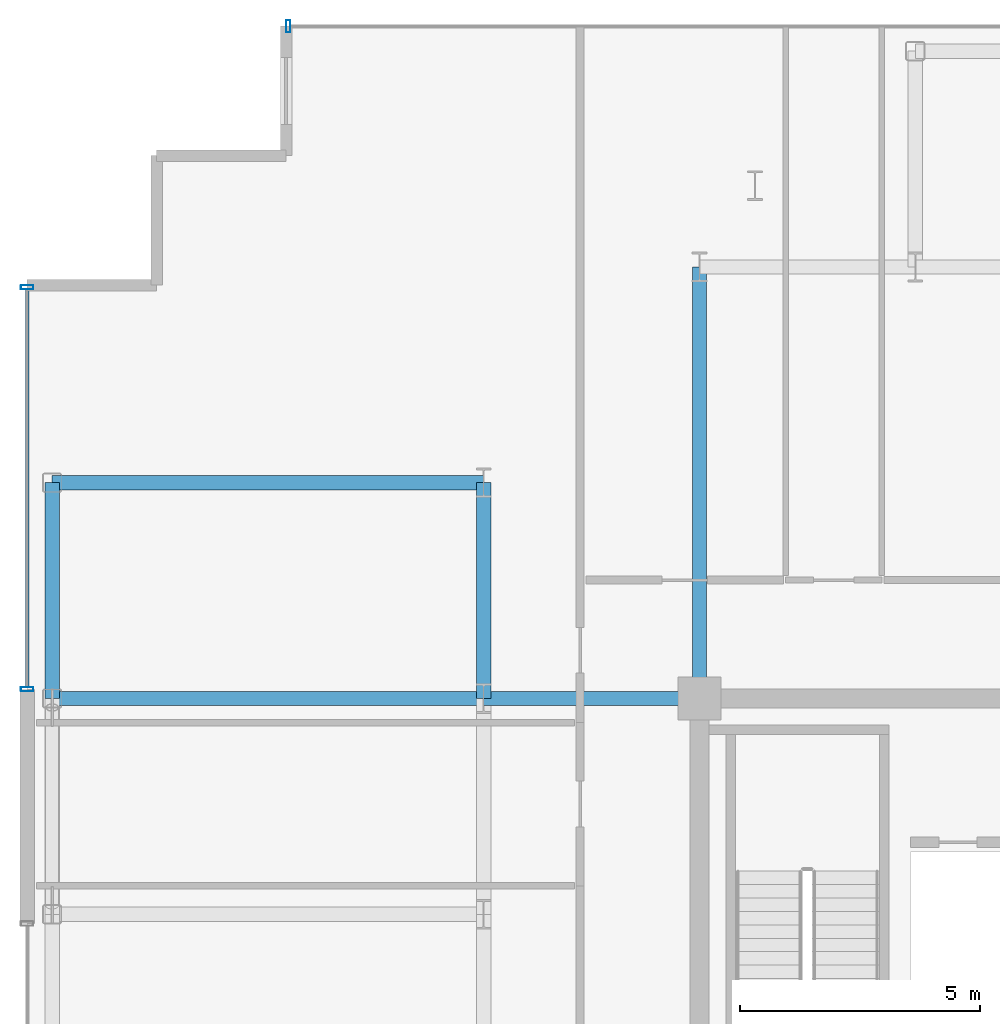
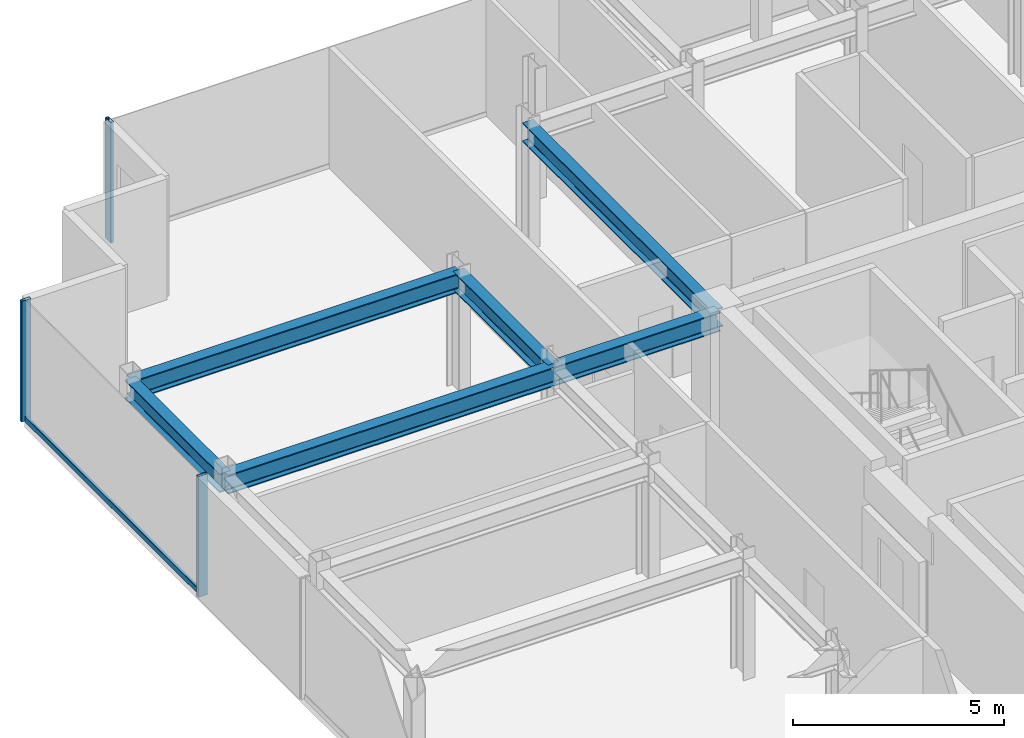
# One storey, part 7 of 16: 6 beams, 4 members, 2 elements without a shape of their own.
"""IFC4 building model written with IfcOpenShell, lengths in metres."""

from ifc_helpers import new_model, si_unit, direction, frame, origin, origin_2d, place, context, subcontext, project, spatial, hollow_rectangle, i_section, extrude, source, transform, mapped, material, layer, layer_set, material_profile, profile_set, type_object, element, aggregate, save


model = new_model("IFC4")

# Units and contexts
model_context = context("Model", 3, precision=1e-05, world=origin(), true_north=direction((0.0, 1.0)))
body_context = subcontext(model_context, "Body", "Model", "MODEL_VIEW")
ifc_project = project(units=[si_unit("LENGTHUNIT", "METRE"), si_unit("AREAUNIT", "SQUARE_METRE"), si_unit("VOLUMEUNIT", "CUBIC_METRE"), si_unit("PLANEANGLEUNIT", "RADIAN"), si_unit("MASSUNIT", "GRAM", prefix="KILO")], contexts=[model_context])

# Site, building, storey
site_placement = place(None, origin())
site = spatial("IfcSite", under=ifc_project, at=site_placement, CompositionType="ELEMENT")
building_placement = place(site_placement, origin())
building = spatial("IfcBuilding", under=site, at=building_placement, Name="Nefas-Gora Pilgrimage Tower", CompositionType="ELEMENT")
storey_placement = place(building_placement, frame((0.0, 0.0, 345.199951171875)))
storey = spatial("IfcBuildingStorey", under=building, at=storey_placement, Name="L87", CompositionType="ELEMENT", Elevation=345.199951171875)

# Beams
ifc_material_1 = material(Name="Steel S355", Category="steel")
ifc_material_profile_1 = material_profile(ifc_material_1, i_section(OverallWidth=0.300048828125, OverallDepth=0.550048828125, WebThickness=0.014892578125, FlangeThickness=0.029052734375, FilletRadius=0.027099609375, at=origin_2d()), Name="HEB 550")
ifc_profile_set_1 = profile_set([ifc_material_profile_1], Name="Steel S355")
beam_type_1 = type_object("IfcBeamType", Name="BM-SPN-HEB400", PredefinedType="SPANDREL", material=ifc_profile_set_1)
shared_shape_1 = source(origin(), body_context, "Body", "SweptSolid", [
    extrude(i_section(OverallWidth=0.300048828125, OverallDepth=0.550048828125, WebThickness=0.014892578125, FlangeThickness=0.029052734375, FilletRadius=0.027099609375, at=origin_2d()), origin(), (0.0, 0.0, 1.0), 4.5),
])
beam_placement = place(storey_placement, frame((-24.75, 9.0, 3.22509765625), z_axis=(0.0, 1.0, 0.0), x_axis=(-1.0, 0.0, 0.0)))
element("IfcBeam", 1, at=beam_placement, inside=storey, type_object=beam_type_1, Name="L87 SP-04 beam", PredefinedType="SPANDREL", context=body_context, shape_type="MappedRepresentation", body=[
    mapped(shared_shape_1, transform((0.0, 0.0, 0.0), x_axis=(1.0, 0.0, 0.0), y_axis=(0.0, 1.0, 0.0), z_axis=(0.0, 0.0, 1.0), scale=1.0)),
])
ifc_material_profile_2 = material_profile(ifc_material_1, i_section(OverallWidth=0.300048828125, OverallDepth=0.550048828125, WebThickness=0.014892578125, FlangeThickness=0.029052734375, FilletRadius=0.027099609375, at=origin_2d()), Name="HEB 550")
ifc_profile_set_2 = profile_set([ifc_material_profile_2], Name="Steel S355")
beam_type_2 = type_object("IfcBeamType", Name="BM-GIR-HEB550", PredefinedType="BEAM", material=ifc_profile_set_2)
shared_shape_2 = source(origin(), body_context, "Body", "SweptSolid", [
    extrude(i_section(OverallWidth=0.300048828125, OverallDepth=0.550048828125, WebThickness=0.014892578125, FlangeThickness=0.029052734375, FilletRadius=0.027099609375, at=origin_2d()), origin(), (0.0, 0.0, 1.0), 9.0),
])
for number, where, z_axis, x_axis, name in (
    (2, (-24.75, 9.0, 3.22509765625), (1.0, 0.0, 0.0), (0.0, 1.0, 0.0), "L87 G-05 beam"),
    (3, (-24.75, 13.5, 3.22509765625), (1.0, 0.0, 0.0), (0.0, 1.0, 0.0), "L87 G-05 beam"),
    (4, (-11.25, 9.0, 3.22509765625), (0.0, 1.0, 0.0), (-1.0, 0.0, 0.0), "L87 G-05 beam"),
):
    element("IfcBeam", number, at=place(storey_placement, frame(where, z_axis=z_axis, x_axis=x_axis)), inside=storey, type_object=beam_type_2, Name=name, PredefinedType="BEAM", context=body_context, shape_type="MappedRepresentation", body=[
        mapped(shared_shape_2, transform((0.0, 0.0, 0.0), x_axis=(1.0, 0.0, 0.0), y_axis=(0.0, 1.0, 0.0), z_axis=(0.0, 0.0, 1.0), scale=1.0)),
    ])
shared_shape_3 = source(origin(), body_context, "Body", "SweptSolid", [
    extrude(i_section(OverallWidth=0.300048828125, OverallDepth=0.550048828125, WebThickness=0.014892578125, FlangeThickness=0.029052734375, FilletRadius=0.027099609375, at=origin_2d()), origin(), (0.0, 0.0, 1.0), 4.5),
])
for number, where, z_axis, x_axis, name in (
    (5, (-15.75, 9.0, 3.22509765625), (0.0, 1.0, 0.0), (-1.0, 0.0, 0.0), "L87 G-05 beam"),
    (6, (-15.75, 9.0, 3.22509765625), (1.0, 0.0, 0.0), (0.0, 1.0, 0.0), "L87 G-05 beam"),
):
    element("IfcBeam", number, at=place(storey_placement, frame(where, z_axis=z_axis, x_axis=x_axis)), inside=storey, type_object=beam_type_2, Name=name, PredefinedType="BEAM", context=body_context, shape_type="MappedRepresentation", body=[
        mapped(shared_shape_3, transform((0.0, 0.0, 0.0), x_axis=(1.0, 0.0, 0.0), y_axis=(0.0, 1.0, 0.0), z_axis=(0.0, 0.0, 1.0), scale=1.0)),
    ])

# Curtain wall, member
ifc_material_2 = material(Name="Dark ceramic-fritted solar-control aluminium-glass curtain wall", Category="aluminium")
ifc_layer = layer(ifc_material_2, 0.219970703125)
ifc_layer_set = layer_set([ifc_layer], Name="Dark ceramic-fritted solar-control aluminium-glass curtain wall")
curtain_wall_type = type_object("IfcCurtainWallType", Name="CW-SYS-4", PredefinedType="NOTDEFINED", material=ifc_layer_set)
curtain_wall_1_placement = place(storey_placement, origin())
curtain_wall_1 = element("IfcCurtainWall", 7, at=curtain_wall_1_placement, inside=storey, type_object=curtain_wall_type, Name="L87 Unitised Curtain Wall CW4", PredefinedType="NOTDEFINED")
ifc_material_3 = material(Name="Anodised architectural aluminium", Category="aluminium")
ifc_material_profile_3 = material_profile(ifc_material_3, hollow_rectangle(XDim=0.080078125, YDim=0.159912109375, WallThickness=0.00439453125, InnerFilletRadius=0.00439453125, OuterFilletRadius=0.009033203125, at=origin_2d()), Name="ALU TRANSOM 80x160")
ifc_profile_set_3 = profile_set([ifc_material_profile_3], Name="Anodised architectural aluminium")
member_type_1 = type_object("IfcMemberType", Name="CWM-TRN-4", PredefinedType="USERDEFINED", material=ifc_profile_set_3)
shared_shape_4 = source(origin(), body_context, "Body", "SweptSolid", [
    extrude(hollow_rectangle(XDim=0.080078125, YDim=0.159912109375, WallThickness=0.00439453125, InnerFilletRadius=0.00439453125, OuterFilletRadius=0.009033203125, at=origin_2d()), origin(), (0.0, 0.0, 1.0), 8.2900390625),
])
member_1_placement = place(storey_placement, frame((-25.27001953125, 17.530029296875, 0.050048828125), z_axis=(0.0, -1.0, 0.0), x_axis=(1.0, 0.0, 0.0)))
member_1 = element("IfcMember", 8, at=member_1_placement, type_object=member_type_1, Name="CW4 Spandrel Transom", ObjectType="TRANSOM", PredefinedType="USERDEFINED", context=body_context, shape_type="MappedRepresentation", body=[
    mapped(shared_shape_4, transform((0.0, 0.0, 0.0), x_axis=(1.0, 0.0, 0.0), y_axis=(0.0, 1.0, 0.0), z_axis=(0.0, 0.0, 1.0), scale=1.0)),
])

curtain_wall_2_placement = place(storey_placement, origin())
curtain_wall_2 = element("IfcCurtainWall", 9, at=curtain_wall_2_placement, inside=storey, type_object=curtain_wall_type, Name="L87 Unitised Curtain Wall CW4", PredefinedType="NOTDEFINED")
ifc_material_profile_4 = material_profile(ifc_material_3, hollow_rectangle(XDim=0.090087890625, YDim=0.260009765625, WallThickness=0.006103515625, InnerFilletRadius=0.006103515625, OuterFilletRadius=0.011962890625, at=origin_2d()), Name="ALU MULLION 90x260")
ifc_profile_set_4 = profile_set([ifc_material_profile_4], Name="Anodised architectural aluminium")
member_type_2 = type_object("IfcMemberType", Name="CWM-MUL-4", PredefinedType="MULLION", material=ifc_profile_set_4)
shared_shape_5 = source(origin(), body_context, "Body", "SweptSolid", [
    extrude(hollow_rectangle(XDim=0.090087890625, YDim=0.260009765625, WallThickness=0.006103515625, InnerFilletRadius=0.006103515625, OuterFilletRadius=0.011962890625, at=origin_2d()), origin(), (0.0, 0.0, 1.0), 3.5),
])
member_2_placement = place(storey_placement, frame((-19.824951171875, 23.02001953125, 0.0), z_axis=(0.0, 0.0, 1.0), x_axis=(-1.0, 0.0, 0.0)))
member_2 = element("IfcMember", 10, at=member_2_placement, type_object=member_type_2, Name="CW4 Mullion 2", PredefinedType="MULLION", context=body_context, shape_type="MappedRepresentation", body=[
    mapped(shared_shape_5, transform((0.0, 0.0, 0.0), x_axis=(1.0, 0.0, 0.0), y_axis=(0.0, 1.0, 0.0), z_axis=(0.0, 0.0, 1.0), scale=1.0)),
])
aggregate(curtain_wall_2, [member_2])

# Member
member_3_placement = place(storey_placement, frame((-25.27001953125, 17.574951171875, 0.0), z_axis=(0.0, 0.0, 1.0), x_axis=(0.0, -1.0, 0.0)))
member_3 = element("IfcMember", 11, at=member_3_placement, type_object=member_type_2, Name="CW4 Mullion 1", PredefinedType="MULLION", context=body_context, shape_type="MappedRepresentation", body=[
    mapped(shared_shape_5, transform((0.0, 0.0, 0.0), x_axis=(1.0, 0.0, 0.0), y_axis=(0.0, 1.0, 0.0), z_axis=(0.0, 0.0, 1.0), scale=1.0)),
])

member_4_placement = place(storey_placement, frame((-25.27001953125, 9.195068359375, 0.0), z_axis=(0.0, 0.0, 1.0), x_axis=(0.0, -1.0, 0.0)))
member_4 = element("IfcMember", 12, at=member_4_placement, type_object=member_type_2, Name="CW4 Mullion 2", PredefinedType="MULLION", context=body_context, shape_type="MappedRepresentation", body=[
    mapped(shared_shape_5, transform((0.0, 0.0, 0.0), x_axis=(1.0, 0.0, 0.0), y_axis=(0.0, 1.0, 0.0), z_axis=(0.0, 0.0, 1.0), scale=1.0)),
])

aggregate(curtain_wall_1, [member_3, member_4, member_1])

save(model, "model.ifc")
